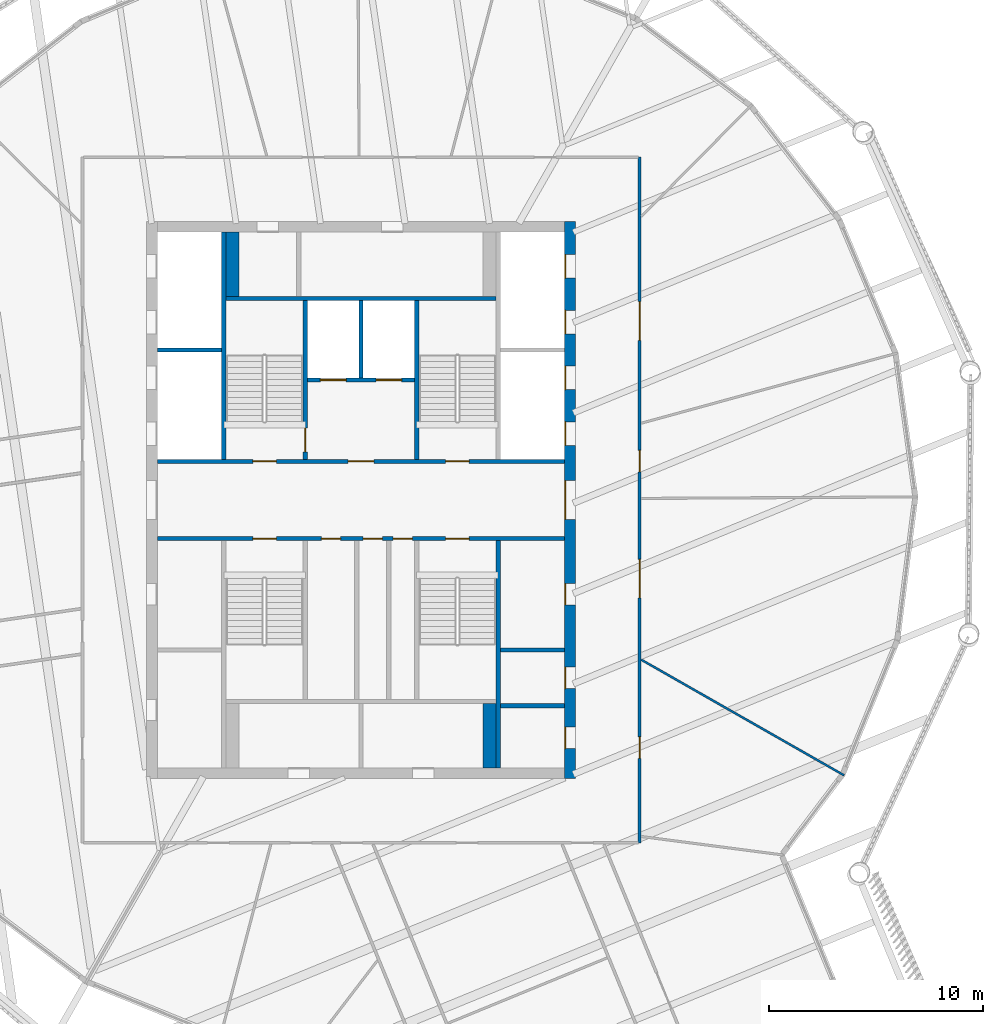
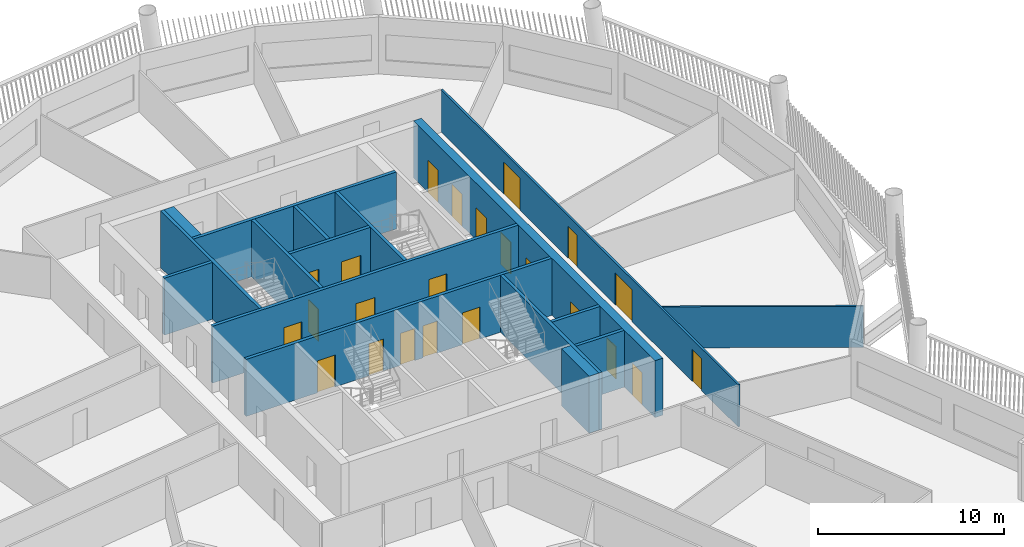
# One storey, part 5 of 15: 23 doors, 17 walls, 23 openings.
"""IFC4 building model written with IfcOpenShell, lengths in metres."""

from ifc_helpers import new_model, si_unit, direction, frame, frame_2d, origin, place, context, subcontext, project, spatial, rectangle, extrude, material, layer, layer_set, type_object, element, fill, save


model = new_model("IFC4")

# Units and contexts
model_context = context("Model", 3, precision=1e-05, world=origin(), true_north=direction((0.0, 1.0)))
body_context = subcontext(model_context, "Body", "Model", "MODEL_VIEW")
ifc_project = project(units=[si_unit("LENGTHUNIT", "METRE"), si_unit("AREAUNIT", "SQUARE_METRE"), si_unit("VOLUMEUNIT", "CUBIC_METRE"), si_unit("PLANEANGLEUNIT", "RADIAN"), si_unit("MASSUNIT", "GRAM", prefix="KILO")], contexts=[model_context])

# Site, building, storey
site_placement = place(None, origin())
site = spatial("IfcSite", under=ifc_project, at=site_placement, CompositionType="ELEMENT")
building_placement = place(site_placement, origin())
building = spatial("IfcBuilding", under=site, at=building_placement, Name="Tarsis Ring Headquarters", CompositionType="ELEMENT")
storey_placement = place(building_placement, frame((0.0, 0.0, 319.699951171875)))
storey = spatial("IfcBuildingStorey", under=building, at=storey_placement, Name="L75", CompositionType="ELEMENT", Elevation=319.699951171875)

# Walls
ifc_material_1 = material(Name="Blockwork", Category="masonry")
ifc_layer_1 = layer(ifc_material_1, 0.199951171875)
ifc_layer_set_1 = layer_set([ifc_layer_1], Name="Core blockwork wall 200")
wall_type_1 = type_object("IfcWallType", Name="Core blockwork wall 200", PredefinedType="PARTITIONING", material=ifc_layer_set_1)
for number, where, z_axis, x_axis, name in (
    (1, (6.5, -9.60009765625, 0.0), (0.0, 0.0, 1.0), (1.0, 0.0, 0.0), "Core partition ED1"),
    (2, (6.5, -7.0, 0.0), (0.0, 0.0, 1.0), (1.0, 0.0, 0.0), "Core partition ED2"),
):
    element("IfcWall", number, at=place(storey_placement, frame(where, z_axis=z_axis, x_axis=x_axis)), inside=storey, type_object=wall_type_1, Name=name, PredefinedType="PARTITIONING", context=body_context, shape_type="SweptSolid", body=[
        extrude(rectangle(XDim=3.0, YDim=0.199951171875, at=frame_2d((1.5, 0.0))), origin(), (0.0, 0.0, 1.0), 3.739990234375),
    ])

# Wall, openings, doors
ifc_material_2 = material(Name="Concrete C50/60", Category="concrete")
ifc_layer_2 = layer(ifc_material_2, 0.5)
ifc_layer_set_2 = layer_set([ifc_layer_2], Name="Core wall 500 C50/60")
wall_type_2 = type_object("IfcWallType", Name="Core wall 500 C50/60", PredefinedType="SHEAR", material=ifc_layer_set_2)
wall_1_placement = place(storey_placement, frame((9.75, -13.0, 0.0), z_axis=(0.0, 0.0, 1.0), x_axis=(0.0, 1.0, 0.0)))
wall_1 = element("IfcWall", 3, at=wall_1_placement, inside=storey, type_object=wall_type_2, Name="Core wall OE", PredefinedType="SHEAR", context=body_context, shape_type="SweptSolid", body=[
    extrude(rectangle(XDim=26.0, YDim=0.5, at=frame_2d((13.0, 0.0))), origin(), (0.0, 0.0, 1.0), 3.739990234375),
])
opening_1_placement = place(wall_1_placement, frame((1.39990234375, 0.0, 0.0)))
opening_1 = element("IfcOpeningElement", 4, at=opening_1_placement, cuts=wall_1, Name="Opening L75-C08", PredefinedType="OPENING", context=body_context, shape_type="SweptSolid", body=[
    extrude(rectangle(XDim=1.0, YDim=2.10009765625, at=frame_2d((0.5, 1.050048828125))), frame((0.0, 0.260009765625, 0.0), z_axis=(0.0, -1.0, 0.0), x_axis=(1.0, 0.0, 0.0)), (0.0, 0.0, 1.0), 0.52001953125),
])
opening_2_placement = place(wall_1_placement, frame((4.199951171875, 0.0, 0.0)))
opening_2 = element("IfcOpeningElement", 5, at=opening_2_placement, cuts=wall_1, Name="Opening L75-C09", PredefinedType="OPENING", context=body_context, shape_type="SweptSolid", body=[
    extrude(rectangle(XDim=1.0, YDim=2.10009765625, at=frame_2d((0.5, 1.050048828125))), frame((0.0, 0.260009765625, 0.0), z_axis=(0.0, -1.0, 0.0), x_axis=(1.0, 0.0, 0.0)), (0.0, 0.0, 1.0), 0.52001953125),
])
opening_3_placement = place(wall_1_placement, frame((8.10009765625, 0.0, 0.0)))
opening_3 = element("IfcOpeningElement", 6, at=opening_3_placement, cuts=wall_1, Name="Opening L75-C10", PredefinedType="OPENING", context=body_context, shape_type="SweptSolid", body=[
    extrude(rectangle(XDim=1.0, YDim=2.10009765625, at=frame_2d((0.5, 1.050048828125))), frame((0.0, 0.260009765625, 0.0), z_axis=(0.0, -1.0, 0.0), x_axis=(1.0, 0.0, 0.0)), (0.0, 0.0, 1.0), 0.52001953125),
])
opening_4_placement = place(wall_1_placement, frame((12.10009765625, 0.0, 0.0)))
opening_4 = element("IfcOpeningElement", 7, at=opening_4_placement, cuts=wall_1, Name="Opening L75-C11", PredefinedType="OPENING", context=body_context, shape_type="SweptSolid", body=[
    extrude(rectangle(XDim=1.800048828125, YDim=2.10009765625, at=frame_2d((0.89990234375, 1.050048828125))), frame((0.0, 0.260009765625, 0.0), z_axis=(0.0, -1.0, 0.0), x_axis=(1.0, 0.0, 0.0)), (0.0, 0.0, 1.0), 0.52001953125),
])
opening_5_placement = place(wall_1_placement, frame((15.550048828125, 0.0, 0.0)))
opening_5 = element("IfcOpeningElement", 8, at=opening_5_placement, cuts=wall_1, Name="Opening LD-HR5", PredefinedType="OPENING", context=body_context, shape_type="SweptSolid", body=[
    extrude(rectangle(XDim=1.10009765625, YDim=2.10009765625, at=frame_2d((0.550048828125, 1.050048828125))), frame((0.0, 0.260009765625, 0.0), z_axis=(0.0, -1.0, 0.0), x_axis=(1.0, 0.0, 0.0)), (0.0, 0.0, 1.0), 0.52001953125),
])
opening_6_placement = place(wall_1_placement, frame((18.14990234375, 0.0, 0.0)))
opening_6 = element("IfcOpeningElement", 9, at=opening_6_placement, cuts=wall_1, Name="Opening LD-HR6", PredefinedType="OPENING", context=body_context, shape_type="SweptSolid", body=[
    extrude(rectangle(XDim=1.10009765625, YDim=2.10009765625, at=frame_2d((0.550048828125, 1.050048828125))), frame((0.0, 0.260009765625, 0.0), z_axis=(0.0, -1.0, 0.0), x_axis=(1.0, 0.0, 0.0)), (0.0, 0.0, 1.0), 0.52001953125),
])
opening_7_placement = place(wall_1_placement, frame((20.75, 0.0, 0.0)))
opening_7 = element("IfcOpeningElement", 10, at=opening_7_placement, cuts=wall_1, Name="Opening LD-HR7", PredefinedType="OPENING", context=body_context, shape_type="SweptSolid", body=[
    extrude(rectangle(XDim=1.10009765625, YDim=2.10009765625, at=frame_2d((0.550048828125, 1.050048828125))), frame((0.0, 0.260009765625, 0.0), z_axis=(0.0, -1.0, 0.0), x_axis=(1.0, 0.0, 0.0)), (0.0, 0.0, 1.0), 0.52001953125),
])
opening_8_placement = place(wall_1_placement, frame((23.35009765625, 0.0, 0.0)))
opening_8 = element("IfcOpeningElement", 11, at=opening_8_placement, cuts=wall_1, Name="Opening LD-HR8", PredefinedType="OPENING", context=body_context, shape_type="SweptSolid", body=[
    extrude(rectangle(XDim=1.10009765625, YDim=2.10009765625, at=frame_2d((0.550048828125, 1.050048828125))), frame((0.0, 0.260009765625, 0.0), z_axis=(0.0, -1.0, 0.0), x_axis=(1.0, 0.0, 0.0)), (0.0, 0.0, 1.0), 0.52001953125),
])
ifc_material_3 = material(Name="Steel S355", Category="steel")
door_type_1 = type_object("IfcDoorType", Name="Core entry door 1800x2100", OperationType="DOUBLE_DOOR_SINGLE_SWING", PredefinedType="DOOR", material=ifc_material_3)
door_1_placement = place(opening_4_placement, origin())
door_1 = element("IfcDoor", 12, at=door_1_placement, inside=storey, type_object=door_type_1, Name="Core entry door L75", OperationType="DOUBLE_DOOR_SINGLE_SWING", OverallHeight=2.10009765625, OverallWidth=1.800048828125, PredefinedType="DOOR", context=body_context, shape_type="SweptSolid", body=[
    extrude(rectangle(XDim=1.800048828125, YDim=2.10009765625, at=frame_2d((0.89990234375, 1.050048828125))), frame((0.0, 0.25, 0.0), z_axis=(0.0, -1.0, 0.0), x_axis=(1.0, 0.0, 0.0)), (0.0, 0.0, 1.0), 0.050048828125),
])
fill(opening_4, door_1)
door_type_2 = type_object("IfcDoorType", Name="Core room door 1000x2100", OperationType="SINGLE_SWING_LEFT", PredefinedType="DOOR", material=ifc_material_3)
door_2_placement = place(opening_1_placement, origin())
door_2 = element("IfcDoor", 13, at=door_2_placement, inside=storey, type_object=door_type_2, Name="Core room door L75", OperationType="SINGLE_SWING_LEFT", OverallHeight=2.10009765625, OverallWidth=1.0, PredefinedType="DOOR", context=body_context, shape_type="SweptSolid", body=[
    extrude(rectangle(XDim=1.0, YDim=2.10009765625, at=frame_2d((0.5, 1.050048828125))), frame((0.0, 0.25, 0.0), z_axis=(0.0, -1.0, 0.0), x_axis=(1.0, 0.0, 0.0)), (0.0, 0.0, 1.0), 0.050048828125),
])
fill(opening_1, door_2)
door_3_placement = place(opening_2_placement, origin())
door_3 = element("IfcDoor", 14, at=door_3_placement, inside=storey, type_object=door_type_2, Name="Core room door L75", OperationType="SINGLE_SWING_LEFT", OverallHeight=2.10009765625, OverallWidth=1.0, PredefinedType="DOOR", context=body_context, shape_type="SweptSolid", body=[
    extrude(rectangle(XDim=1.0, YDim=2.10009765625, at=frame_2d((0.5, 1.050048828125))), frame((0.0, 0.25, 0.0), z_axis=(0.0, -1.0, 0.0), x_axis=(1.0, 0.0, 0.0)), (0.0, 0.0, 1.0), 0.050048828125),
])
fill(opening_2, door_3)
door_4_placement = place(opening_3_placement, origin())
door_4 = element("IfcDoor", 15, at=door_4_placement, inside=storey, type_object=door_type_2, Name="Core room door L75", OperationType="SINGLE_SWING_LEFT", OverallHeight=2.10009765625, OverallWidth=1.0, PredefinedType="DOOR", context=body_context, shape_type="SweptSolid", body=[
    extrude(rectangle(XDim=1.0, YDim=2.10009765625, at=frame_2d((0.5, 1.050048828125))), frame((0.0, 0.25, 0.0), z_axis=(0.0, -1.0, 0.0), x_axis=(1.0, 0.0, 0.0)), (0.0, 0.0, 1.0), 0.050048828125),
])
fill(opening_3, door_4)
door_type_3 = type_object("IfcDoorType", Name="Landing door 1100x2100", OperationType="SLIDING_TO_LEFT", PredefinedType="DOOR", material=ifc_material_3)
door_5_placement = place(opening_5_placement, origin())
door_5 = element("IfcDoor", 16, at=door_5_placement, inside=storey, type_object=door_type_3, Name="Landing door HR5 L75", OperationType="SLIDING_TO_LEFT", OverallHeight=2.10009765625, OverallWidth=1.10009765625, PredefinedType="DOOR", context=body_context, shape_type="SweptSolid", body=[
    extrude(rectangle(XDim=1.10009765625, YDim=2.10009765625, at=frame_2d((0.550048828125, 1.050048828125))), frame((0.0, 0.25, 0.0), z_axis=(0.0, -1.0, 0.0), x_axis=(1.0, 0.0, 0.0)), (0.0, 0.0, 1.0), 0.050048828125),
])
fill(opening_5, door_5)
door_6_placement = place(opening_6_placement, origin())
door_6 = element("IfcDoor", 17, at=door_6_placement, inside=storey, type_object=door_type_3, Name="Landing door HR6 L75", OperationType="SLIDING_TO_LEFT", OverallHeight=2.10009765625, OverallWidth=1.10009765625, PredefinedType="DOOR", context=body_context, shape_type="SweptSolid", body=[
    extrude(rectangle(XDim=1.10009765625, YDim=2.10009765625, at=frame_2d((0.550048828125, 1.050048828125))), frame((0.0, 0.25, 0.0), z_axis=(0.0, -1.0, 0.0), x_axis=(1.0, 0.0, 0.0)), (0.0, 0.0, 1.0), 0.050048828125),
])
fill(opening_6, door_6)
door_7_placement = place(opening_7_placement, origin())
door_7 = element("IfcDoor", 18, at=door_7_placement, inside=storey, type_object=door_type_3, Name="Landing door HR7 L75", OperationType="SLIDING_TO_LEFT", OverallHeight=2.10009765625, OverallWidth=1.10009765625, PredefinedType="DOOR", context=body_context, shape_type="SweptSolid", body=[
    extrude(rectangle(XDim=1.10009765625, YDim=2.10009765625, at=frame_2d((0.550048828125, 1.050048828125))), frame((0.0, 0.25, 0.0), z_axis=(0.0, -1.0, 0.0), x_axis=(1.0, 0.0, 0.0)), (0.0, 0.0, 1.0), 0.050048828125),
])
fill(opening_7, door_7)
door_8_placement = place(opening_8_placement, origin())
door_8 = element("IfcDoor", 19, at=door_8_placement, inside=storey, type_object=door_type_3, Name="Landing door HR8 L75", OperationType="SLIDING_TO_LEFT", OverallHeight=2.10009765625, OverallWidth=1.10009765625, PredefinedType="DOOR", context=body_context, shape_type="SweptSolid", body=[
    extrude(rectangle(XDim=1.10009765625, YDim=2.10009765625, at=frame_2d((0.550048828125, 1.050048828125))), frame((0.0, 0.25, 0.0), z_axis=(0.0, -1.0, 0.0), x_axis=(1.0, 0.0, 0.0)), (0.0, 0.0, 1.0), 0.050048828125),
])
fill(opening_8, door_8)

# Wall
ifc_material_4 = material(Name="Gypsum board on steel studs", Category="steel")
ifc_layer_3 = layer(ifc_material_4, 0.10009765625)
ifc_layer_set_3 = layer_set([ifc_layer_3], Name="FL partition 100 unrated")
wall_type_3 = type_object("IfcWallType", Name="FL partition 100 unrated", PredefinedType="PARTITIONING", material=ifc_layer_set_3)
wall_2_placement = place(storey_placement, frame((13.078125, -7.45361328125, 0.0), z_axis=(0.0, 0.0, 1.0), x_axis=(0.868810721544, -0.495144352821, 0.0)))
element("IfcWall", 20, at=wall_2_placement, inside=storey, type_object=wall_type_3, Name="Partition PW3", PredefinedType="PARTITIONING", context=body_context, shape_type="SweptSolid", body=[
    extrude(rectangle(XDim=10.894775390625, YDim=0.10009765625, at=frame_2d((5.447265625, 0.0))), origin(), (0.0, 0.0, 1.0), 2.699951171875),
])

# Wall, openings, doors
ifc_layer_4 = layer(ifc_material_4, 0.125)
ifc_layer_set_4 = layer_set([ifc_layer_4], Name="FL partition 125 EI 60 H2770")
wall_type_4 = type_object("IfcWallType", Name="FL partition 125 EI 60 H2770", PredefinedType="PARTITIONING", material=ifc_layer_set_4)
wall_3_placement = place(storey_placement, frame((13.0, -16.0, 0.0), z_axis=(0.0, 0.0, 1.0), x_axis=(0.0, 1.0, 0.0)))
wall_3 = element("IfcWall", 21, at=wall_3_placement, inside=storey, type_object=wall_type_4, Name="Partition PW1", PredefinedType="PARTITIONING", context=body_context, shape_type="SweptSolid", body=[
    extrude(rectangle(XDim=32.0, YDim=0.125, at=frame_2d((16.0, 0.0))), origin(), (0.0, 0.0, 1.0), 2.77001953125),
])
opening_9_placement = place(wall_3_placement, frame((23.45361328125, 0.0, 0.0)))
opening_9 = element("IfcOpeningElement", 22, at=opening_9_placement, cuts=wall_3, Name="Opening D75.08", PredefinedType="OPENING", context=body_context, shape_type="SweptSolid", body=[
    extrude(rectangle(XDim=1.800048828125, YDim=2.10009765625, at=frame_2d((0.89990234375, 1.050048828125))), frame((0.0, 0.072509765625, 0.0), z_axis=(0.0, -1.0, 0.0), x_axis=(1.0, 0.0, 0.0)), (0.0, 0.0, 1.0), 0.14501953125),
])
opening_10_placement = place(wall_3_placement, frame((17.31689453125, 0.0, 0.0)))
opening_10 = element("IfcOpeningElement", 23, at=opening_10_placement, cuts=wall_3, Name="Opening D75.09", PredefinedType="OPENING", context=body_context, shape_type="SweptSolid", body=[
    extrude(rectangle(XDim=1.0, YDim=2.10009765625, at=frame_2d((0.5, 1.050048828125))), frame((0.0, 0.072509765625, 0.0), z_axis=(0.0, -1.0, 0.0), x_axis=(1.0, 0.0, 0.0)), (0.0, 0.0, 1.0), 0.14501953125),
])
opening_11_placement = place(wall_3_placement, frame((11.431884765625, 0.0, 0.0)))
opening_11 = element("IfcOpeningElement", 24, at=opening_11_placement, cuts=wall_3, Name="Opening D75.10", PredefinedType="OPENING", context=body_context, shape_type="SweptSolid", body=[
    extrude(rectangle(XDim=1.800048828125, YDim=2.10009765625, at=frame_2d((0.89990234375, 1.050048828125))), frame((0.0, 0.072509765625, 0.0), z_axis=(0.0, -1.0, 0.0), x_axis=(1.0, 0.0, 0.0)), (0.0, 0.0, 1.0), 0.14501953125),
])
opening_12_placement = place(wall_3_placement, frame((3.94775390625, 0.0, 0.0)))
opening_12 = element("IfcOpeningElement", 25, at=opening_12_placement, cuts=wall_3, Name="Opening D75.11", PredefinedType="OPENING", context=body_context, shape_type="SweptSolid", body=[
    extrude(rectangle(XDim=1.0, YDim=2.10009765625, at=frame_2d((0.5, 1.050048828125))), frame((0.0, 0.072509765625, 0.0), z_axis=(0.0, -1.0, 0.0), x_axis=(1.0, 0.0, 0.0)), (0.0, 0.0, 1.0), 0.14501953125),
])
ifc_material_5 = material(Name="Fire-rated timber door leaf in steel frame", Category="steel")
door_type_4 = type_object("IfcDoorType", Name="FL door FD60-1000", OperationType="NOTDEFINED", PredefinedType="DOOR", material=ifc_material_5)
door_9_placement = place(opening_10_placement, origin())
door_9 = element("IfcDoor", 26, at=door_9_placement, inside=storey, type_object=door_type_4, Name="Door D75.09", OperationType="SINGLE_SWING_RIGHT", OverallHeight=2.10009765625, OverallWidth=1.0, PredefinedType="DOOR", context=body_context, shape_type="SweptSolid", body=[
    extrude(rectangle(XDim=1.0, YDim=2.10009765625, at=frame_2d((0.5, 1.050048828125))), frame((0.0, 0.02490234375, 0.0), z_axis=(0.0, -1.0, 0.0), x_axis=(1.0, 0.0, 0.0)), (0.0, 0.0, 1.0), 0.050048828125),
])
fill(opening_10, door_9)
door_10_placement = place(opening_12_placement, origin())
door_10 = element("IfcDoor", 27, at=door_10_placement, inside=storey, type_object=door_type_4, Name="Door D75.11", OperationType="SINGLE_SWING_RIGHT", OverallHeight=2.10009765625, OverallWidth=1.0, PredefinedType="DOOR", context=body_context, shape_type="SweptSolid", body=[
    extrude(rectangle(XDim=1.0, YDim=2.10009765625, at=frame_2d((0.5, 1.050048828125))), frame((0.0, 0.02490234375, 0.0), z_axis=(0.0, -1.0, 0.0), x_axis=(1.0, 0.0, 0.0)), (0.0, 0.0, 1.0), 0.050048828125),
])
fill(opening_12, door_10)
door_type_5 = type_object("IfcDoorType", Name="FL door FD60-1800", OperationType="DOUBLE_DOOR_SINGLE_SWING", PredefinedType="DOOR", material=ifc_material_5)
door_11_placement = place(opening_9_placement, origin())
door_11 = element("IfcDoor", 28, at=door_11_placement, inside=storey, type_object=door_type_5, Name="Door D75.08", OperationType="DOUBLE_DOOR_SINGLE_SWING", OverallHeight=2.10009765625, OverallWidth=1.800048828125, PredefinedType="DOOR", context=body_context, shape_type="SweptSolid", body=[
    extrude(rectangle(XDim=1.800048828125, YDim=2.10009765625, at=frame_2d((0.89990234375, 1.050048828125))), frame((0.0, 0.02490234375, 0.0), z_axis=(0.0, -1.0, 0.0), x_axis=(1.0, 0.0, 0.0)), (0.0, 0.0, 1.0), 0.050048828125),
])
fill(opening_9, door_11)
door_12_placement = place(opening_11_placement, origin())
door_12 = element("IfcDoor", 29, at=door_12_placement, inside=storey, type_object=door_type_5, Name="Door D75.10", OperationType="DOUBLE_DOOR_SINGLE_SWING", OverallHeight=2.10009765625, OverallWidth=1.800048828125, PredefinedType="DOOR", context=body_context, shape_type="SweptSolid", body=[
    extrude(rectangle(XDim=1.800048828125, YDim=2.10009765625, at=frame_2d((0.89990234375, 1.050048828125))), frame((0.0, 0.02490234375, 0.0), z_axis=(0.0, -1.0, 0.0), x_axis=(1.0, 0.0, 0.0)), (0.0, 0.0, 1.0), 0.050048828125),
])
fill(opening_11, door_12)

# Walls
ifc_material_6 = material(Name="Concrete C32/40", Category="concrete")
ifc_layer_5 = layer(ifc_material_6, 0.60009765625)
ifc_layer_set_5 = layer_set([ifc_layer_5], Name="Shaft end wall 600 C32/40")
wall_type_5 = type_object("IfcWallType", Name="Shaft end wall 600 C32/40", PredefinedType="SOLIDWALL", material=ifc_layer_set_5)
for number, where, z_axis, x_axis, name in (
    (30, (-6.0, 9.5, 0.0), (0.0, 0.0, 1.0), (0.0, 1.0, 0.0), "Core shaft wall NNE1"),
    (31, (6.0, -12.5, 0.0), (0.0, 0.0, 1.0), (0.0, 1.0, 0.0), "Core shaft wall SNE2"),
):
    element("IfcWall", number, at=place(storey_placement, frame(where, z_axis=z_axis, x_axis=x_axis)), inside=storey, type_object=wall_type_5, Name=name, PredefinedType="SOLIDWALL", context=body_context, shape_type="SweptSolid", body=[
        extrude(rectangle(XDim=3.0, YDim=0.60009765625, at=frame_2d((1.5, 0.0))), origin(), (0.0, 0.0, 1.0), 3.739990234375),
    ])

# Wall, openings, doors
ifc_layer_6 = layer(ifc_material_6, 0.199951171875)
ifc_layer_set_6 = layer_set([ifc_layer_6], Name="Shaft wall 200 C32/40")
wall_type_6 = type_object("IfcWallType", Name="Shaft wall 200 C32/40", PredefinedType="SOLIDWALL", material=ifc_layer_set_6)
wall_4_placement = place(storey_placement, frame((-9.5, 1.800048828125, 0.0), z_axis=(0.0, 0.0, 1.0), x_axis=(1.0, 0.0, 0.0)))
wall_4 = element("IfcWall", 32, at=wall_4_placement, inside=storey, type_object=wall_type_6, Name="Core shaft wall CN", PredefinedType="SOLIDWALL", context=body_context, shape_type="SweptSolid", body=[
    extrude(rectangle(XDim=19.0, YDim=0.199951171875, at=frame_2d((9.5, 0.0))), origin(), (0.0, 0.0, 1.0), 3.739990234375),
])
opening_13_placement = place(wall_4_placement, frame((4.449951171875, 0.0, 0.0)))
opening_13 = element("IfcOpeningElement", 33, at=opening_13_placement, cuts=wall_4, Name="Opening L75-C20", PredefinedType="OPENING", context=body_context, shape_type="SweptSolid", body=[
    extrude(rectangle(XDim=1.10009765625, YDim=2.10009765625, at=frame_2d((0.550048828125, 1.050048828125))), frame((0.0, 0.10986328125, 0.0), z_axis=(0.0, -1.0, 0.0), x_axis=(1.0, 0.0, 0.0)), (0.0, 0.0, 1.0), 0.219970703125),
])
opening_14_placement = place(wall_4_placement, frame((8.89990234375, 0.0, 0.0)))
opening_14 = element("IfcOpeningElement", 34, at=opening_14_placement, cuts=wall_4, Name="Opening L75-C21", PredefinedType="OPENING", context=body_context, shape_type="SweptSolid", body=[
    extrude(rectangle(XDim=1.199951171875, YDim=2.10009765625, at=frame_2d((0.60009765625, 1.050048828125))), frame((0.0, 0.10986328125, 0.0), z_axis=(0.0, -1.0, 0.0), x_axis=(1.0, 0.0, 0.0)), (0.0, 0.0, 1.0), 0.219970703125),
])
opening_15_placement = place(wall_4_placement, frame((13.449951171875, 0.0, 0.0)))
opening_15 = element("IfcOpeningElement", 35, at=opening_15_placement, cuts=wall_4, Name="Opening L75-C22", PredefinedType="OPENING", context=body_context, shape_type="SweptSolid", body=[
    extrude(rectangle(XDim=1.10009765625, YDim=2.10009765625, at=frame_2d((0.550048828125, 1.050048828125))), frame((0.0, 0.10986328125, 0.0), z_axis=(0.0, -1.0, 0.0), x_axis=(1.0, 0.0, 0.0)), (0.0, 0.0, 1.0), 0.219970703125),
])
door_type_6 = type_object("IfcDoorType", Name="Firefighting lobby door 1200x2100", OperationType="DOUBLE_DOOR_SINGLE_SWING", PredefinedType="DOOR", material=ifc_material_3)
door_13_placement = place(opening_14_placement, origin())
door_13 = element("IfcDoor", 36, at=door_13_placement, inside=storey, type_object=door_type_6, Name="Firefighting lobby door L75", OperationType="DOUBLE_DOOR_SINGLE_SWING", OverallHeight=2.10009765625, OverallWidth=1.199951171875, PredefinedType="DOOR", context=body_context, shape_type="SweptSolid", body=[
    extrude(rectangle(XDim=1.199951171875, YDim=2.10009765625, at=frame_2d((0.60009765625, 1.050048828125))), frame((0.0, 0.02490234375, 0.0), z_axis=(0.0, -1.0, 0.0), x_axis=(1.0, 0.0, 0.0)), (0.0, 0.0, 1.0), 0.050048828125),
])
fill(opening_14, door_13)
door_type_7 = type_object("IfcDoorType", Name="Stair door 1100x2100", OperationType="SINGLE_SWING_LEFT", PredefinedType="DOOR", material=ifc_material_3)
door_14_placement = place(opening_13_placement, origin())
door_14 = element("IfcDoor", 37, at=door_14_placement, inside=storey, type_object=door_type_7, Name="Stair door L75", OperationType="SINGLE_SWING_LEFT", OverallHeight=2.10009765625, OverallWidth=1.10009765625, PredefinedType="DOOR", context=body_context, shape_type="SweptSolid", body=[
    extrude(rectangle(XDim=1.10009765625, YDim=2.10009765625, at=frame_2d((0.550048828125, 1.050048828125))), frame((0.0, 0.02490234375, 0.0), z_axis=(0.0, -1.0, 0.0), x_axis=(1.0, 0.0, 0.0)), (0.0, 0.0, 1.0), 0.050048828125),
])
fill(opening_13, door_14)
door_15_placement = place(opening_15_placement, origin())
door_15 = element("IfcDoor", 38, at=door_15_placement, inside=storey, type_object=door_type_7, Name="Stair door L75", OperationType="SINGLE_SWING_LEFT", OverallHeight=2.10009765625, OverallWidth=1.10009765625, PredefinedType="DOOR", context=body_context, shape_type="SweptSolid", body=[
    extrude(rectangle(XDim=1.10009765625, YDim=2.10009765625, at=frame_2d((0.550048828125, 1.050048828125))), frame((0.0, 0.02490234375, 0.0), z_axis=(0.0, -1.0, 0.0), x_axis=(1.0, 0.0, 0.0)), (0.0, 0.0, 1.0), 0.050048828125),
])
fill(opening_15, door_15)

wall_5_placement = place(storey_placement, frame((-9.5, -1.800048828125, 0.0), z_axis=(0.0, 0.0, 1.0), x_axis=(1.0, 0.0, 0.0)))
wall_5 = element("IfcWall", 39, at=wall_5_placement, inside=storey, type_object=wall_type_6, Name="Core shaft wall CS", PredefinedType="SOLIDWALL", context=body_context, shape_type="SweptSolid", body=[
    extrude(rectangle(XDim=19.0, YDim=0.199951171875, at=frame_2d((9.5, 0.0))), origin(), (0.0, 0.0, 1.0), 3.739990234375),
])
opening_16_placement = place(wall_5_placement, frame((4.449951171875, 0.0, 0.0)))
opening_16 = element("IfcOpeningElement", 40, at=opening_16_placement, cuts=wall_5, Name="Opening L75-C23", PredefinedType="OPENING", context=body_context, shape_type="SweptSolid", body=[
    extrude(rectangle(XDim=1.10009765625, YDim=2.10009765625, at=frame_2d((0.550048828125, 1.050048828125))), frame((0.0, 0.10986328125, 0.0), z_axis=(0.0, -1.0, 0.0), x_axis=(1.0, 0.0, 0.0)), (0.0, 0.0, 1.0), 0.219970703125),
])
opening_17_placement = place(wall_5_placement, frame((7.64990234375, 0.0, 0.0)))
opening_17 = element("IfcOpeningElement", 41, at=opening_17_placement, cuts=wall_5, Name="Opening L75-C24", PredefinedType="OPENING", context=body_context, shape_type="SweptSolid", body=[
    extrude(rectangle(XDim=0.89990234375, YDim=2.10009765625, at=frame_2d((0.449951171875, 1.050048828125))), frame((0.0, 0.10986328125, 0.0), z_axis=(0.0, -1.0, 0.0), x_axis=(1.0, 0.0, 0.0)), (0.0, 0.0, 1.0), 0.219970703125),
])
opening_18_placement = place(wall_5_placement, frame((9.60009765625, 0.0, 0.0)))
opening_18 = element("IfcOpeningElement", 42, at=opening_18_placement, cuts=wall_5, Name="Opening L75-C25", PredefinedType="OPENING", context=body_context, shape_type="SweptSolid", body=[
    extrude(rectangle(XDim=0.89990234375, YDim=2.10009765625, at=frame_2d((0.449951171875, 1.050048828125))), frame((0.0, 0.10986328125, 0.0), z_axis=(0.0, -1.0, 0.0), x_axis=(1.0, 0.0, 0.0)), (0.0, 0.0, 1.0), 0.219970703125),
])
opening_19_placement = place(wall_5_placement, frame((11.0, 0.0, 0.0)))
opening_19 = element("IfcOpeningElement", 43, at=opening_19_placement, cuts=wall_5, Name="Opening L75-C26", PredefinedType="OPENING", context=body_context, shape_type="SweptSolid", body=[
    extrude(rectangle(XDim=0.89990234375, YDim=2.10009765625, at=frame_2d((0.449951171875, 1.050048828125))), frame((0.0, 0.10986328125, 0.0), z_axis=(0.0, -1.0, 0.0), x_axis=(1.0, 0.0, 0.0)), (0.0, 0.0, 1.0), 0.219970703125),
])
opening_20_placement = place(wall_5_placement, frame((13.449951171875, 0.0, 0.0)))
opening_20 = element("IfcOpeningElement", 44, at=opening_20_placement, cuts=wall_5, Name="Opening L75-C27", PredefinedType="OPENING", context=body_context, shape_type="SweptSolid", body=[
    extrude(rectangle(XDim=1.10009765625, YDim=2.10009765625, at=frame_2d((0.550048828125, 1.050048828125))), frame((0.0, 0.10986328125, 0.0), z_axis=(0.0, -1.0, 0.0), x_axis=(1.0, 0.0, 0.0)), (0.0, 0.0, 1.0), 0.219970703125),
])
door_16_placement = place(opening_16_placement, origin())
door_16 = element("IfcDoor", 45, at=door_16_placement, inside=storey, type_object=door_type_7, Name="Stair door L75", OperationType="SINGLE_SWING_LEFT", OverallHeight=2.10009765625, OverallWidth=1.10009765625, PredefinedType="DOOR", context=body_context, shape_type="SweptSolid", body=[
    extrude(rectangle(XDim=1.10009765625, YDim=2.10009765625, at=frame_2d((0.550048828125, 1.050048828125))), frame((0.0, 0.02490234375, 0.0), z_axis=(0.0, -1.0, 0.0), x_axis=(1.0, 0.0, 0.0)), (0.0, 0.0, 1.0), 0.050048828125),
])
fill(opening_16, door_16)
door_17_placement = place(opening_20_placement, origin())
door_17 = element("IfcDoor", 46, at=door_17_placement, inside=storey, type_object=door_type_7, Name="Stair door L75", OperationType="SINGLE_SWING_LEFT", OverallHeight=2.10009765625, OverallWidth=1.10009765625, PredefinedType="DOOR", context=body_context, shape_type="SweptSolid", body=[
    extrude(rectangle(XDim=1.10009765625, YDim=2.10009765625, at=frame_2d((0.550048828125, 1.050048828125))), frame((0.0, 0.02490234375, 0.0), z_axis=(0.0, -1.0, 0.0), x_axis=(1.0, 0.0, 0.0)), (0.0, 0.0, 1.0), 0.050048828125),
])
fill(opening_20, door_17)
door_type_8 = type_object("IfcDoorType", Name="WC door 900x2100", OperationType="SINGLE_SWING_LEFT", PredefinedType="DOOR", material=ifc_material_3)
door_18_placement = place(opening_17_placement, origin())
door_18 = element("IfcDoor", 47, at=door_18_placement, inside=storey, type_object=door_type_8, Name="WC door L75", OperationType="SINGLE_SWING_LEFT", OverallHeight=2.10009765625, OverallWidth=0.89990234375, PredefinedType="DOOR", context=body_context, shape_type="SweptSolid", body=[
    extrude(rectangle(XDim=0.89990234375, YDim=2.10009765625, at=frame_2d((0.449951171875, 1.050048828125))), frame((0.0, 0.02490234375, 0.0), z_axis=(0.0, -1.0, 0.0), x_axis=(1.0, 0.0, 0.0)), (0.0, 0.0, 1.0), 0.050048828125),
])
fill(opening_17, door_18)
door_19_placement = place(opening_18_placement, origin())
door_19 = element("IfcDoor", 48, at=door_19_placement, inside=storey, type_object=door_type_8, Name="WC door L75", OperationType="SINGLE_SWING_LEFT", OverallHeight=2.10009765625, OverallWidth=0.89990234375, PredefinedType="DOOR", context=body_context, shape_type="SweptSolid", body=[
    extrude(rectangle(XDim=0.89990234375, YDim=2.10009765625, at=frame_2d((0.449951171875, 1.050048828125))), frame((0.0, 0.02490234375, 0.0), z_axis=(0.0, -1.0, 0.0), x_axis=(1.0, 0.0, 0.0)), (0.0, 0.0, 1.0), 0.050048828125),
])
fill(opening_18, door_19)
door_20_placement = place(opening_19_placement, origin())
door_20 = element("IfcDoor", 49, at=door_20_placement, inside=storey, type_object=door_type_8, Name="WC door L75", OperationType="SINGLE_SWING_LEFT", OverallHeight=2.10009765625, OverallWidth=0.89990234375, PredefinedType="DOOR", context=body_context, shape_type="SweptSolid", body=[
    extrude(rectangle(XDim=0.89990234375, YDim=2.10009765625, at=frame_2d((0.449951171875, 1.050048828125))), frame((0.0, 0.02490234375, 0.0), z_axis=(0.0, -1.0, 0.0), x_axis=(1.0, 0.0, 0.0)), (0.0, 0.0, 1.0), 0.050048828125),
])
fill(opening_19, door_20)

# Walls
for number, where, z_axis, x_axis, name in (
    (50, (-6.39990234375, 1.89990234375, 0.0), (0.0, 0.0, 1.0), (0.0, 1.0, 0.0), "Core shaft wall WB2"),
    (51, (6.39990234375, -12.5, 0.0), (0.0, 0.0, 1.0), (0.0, 1.0, 0.0), "Core shaft wall EB1"),
):
    element("IfcWall", number, at=place(storey_placement, frame(where, z_axis=z_axis, x_axis=x_axis)), inside=storey, type_object=wall_type_6, Name=name, PredefinedType="SOLIDWALL", context=body_context, shape_type="SweptSolid", body=[
        extrude(rectangle(XDim=10.60009765625, YDim=0.199951171875, at=frame_2d((5.300048828125, 0.0))), origin(), (0.0, 0.0, 1.0), 3.739990234375),
    ])
wall_6_placement = place(storey_placement, frame((-6.300048828125, 9.39990234375, 0.0), z_axis=(0.0, 0.0, 1.0), x_axis=(1.0, 0.0, 0.0)))
element("IfcWall", 52, at=wall_6_placement, inside=storey, type_object=wall_type_6, Name="Core shaft wall NB", PredefinedType="SOLIDWALL", context=body_context, shape_type="SweptSolid", body=[
    extrude(rectangle(XDim=12.60009765625, YDim=0.199951171875, at=frame_2d((6.300048828125, 0.0))), origin(), (0.0, 0.0, 1.0), 3.739990234375),
])

# Wall, opening, door
wall_7_placement = place(storey_placement, frame((-2.60009765625, 1.89990234375, 0.0), z_axis=(0.0, 0.0, 1.0), x_axis=(0.0, 1.0, 0.0)))
wall_7 = element("IfcWall", 53, at=wall_7_placement, inside=storey, type_object=wall_type_6, Name="Core shaft wall SW1", PredefinedType="SOLIDWALL", context=body_context, shape_type="SweptSolid", body=[
    extrude(rectangle(XDim=7.400146484375, YDim=0.199951171875, at=frame_2d((3.7001953125, 0.0))), origin(), (0.0, 0.0, 1.0), 3.739990234375),
])
opening_21_placement = place(wall_7_placement, frame((0.35009765625, 0.0, 0.0)))
opening_21 = element("IfcOpeningElement", 54, at=opening_21_placement, cuts=wall_7, Name="Opening L75-C28", PredefinedType="OPENING", context=body_context, shape_type="SweptSolid", body=[
    extrude(rectangle(XDim=1.10009765625, YDim=2.10009765625, at=frame_2d((0.550048828125, 1.050048828125))), frame((0.0, 0.10986328125, 0.0), z_axis=(0.0, -1.0, 0.0), x_axis=(1.0, 0.0, 0.0)), (0.0, 0.0, 1.0), 0.219970703125),
])
door_21_placement = place(opening_21_placement, origin())
door_21 = element("IfcDoor", 55, at=door_21_placement, inside=storey, type_object=door_type_7, Name="Stair door L75", OperationType="SINGLE_SWING_LEFT", OverallHeight=2.10009765625, OverallWidth=1.10009765625, PredefinedType="DOOR", context=body_context, shape_type="SweptSolid", body=[
    extrude(rectangle(XDim=1.10009765625, YDim=2.10009765625, at=frame_2d((0.550048828125, 1.050048828125))), frame((0.0, 0.02490234375, 0.0), z_axis=(0.0, -1.0, 0.0), x_axis=(1.0, 0.0, 0.0)), (0.0, 0.0, 1.0), 0.050048828125),
])
fill(opening_21, door_21)

# Wall
wall_8_placement = place(storey_placement, frame((2.60009765625, 1.89990234375, 0.0), z_axis=(0.0, 0.0, 1.0), x_axis=(0.0, 1.0, 0.0)))
element("IfcWall", 56, at=wall_8_placement, inside=storey, type_object=wall_type_6, Name="Core shaft wall SW2", PredefinedType="SOLIDWALL", context=body_context, shape_type="SweptSolid", body=[
    extrude(rectangle(XDim=7.400146484375, YDim=0.199951171875, at=frame_2d((3.7001953125, 0.0))), origin(), (0.0, 0.0, 1.0), 3.739990234375),
])

# Wall, openings, doors
wall_9_placement = place(storey_placement, frame((-2.5, 5.60009765625, 0.0), z_axis=(0.0, 0.0, 1.0), x_axis=(1.0, 0.0, 0.0)))
wall_9 = element("IfcWall", 57, at=wall_9_placement, inside=storey, type_object=wall_type_6, Name="Core shaft wall FFN", PredefinedType="SOLIDWALL", context=body_context, shape_type="SweptSolid", body=[
    extrude(rectangle(XDim=5.0, YDim=0.199951171875, at=frame_2d((2.5, 0.0))), origin(), (0.0, 0.0, 1.0), 3.739990234375),
])
opening_22_placement = place(wall_9_placement, frame((0.60009765625, 0.0, 0.0)))
opening_22 = element("IfcOpeningElement", 58, at=opening_22_placement, cuts=wall_9, Name="Opening LDF-1", PredefinedType="OPENING", context=body_context, shape_type="SweptSolid", body=[
    extrude(rectangle(XDim=1.199951171875, YDim=2.10009765625, at=frame_2d((0.60009765625, 1.050048828125))), frame((0.0, 0.10986328125, 0.0), z_axis=(0.0, -1.0, 0.0), x_axis=(1.0, 0.0, 0.0)), (0.0, 0.0, 1.0), 0.219970703125),
])
opening_23_placement = place(wall_9_placement, frame((3.199951171875, 0.0, 0.0)))
opening_23 = element("IfcOpeningElement", 59, at=opening_23_placement, cuts=wall_9, Name="Opening LDF-2", PredefinedType="OPENING", context=body_context, shape_type="SweptSolid", body=[
    extrude(rectangle(XDim=1.199951171875, YDim=2.10009765625, at=frame_2d((0.60009765625, 1.050048828125))), frame((0.0, 0.10986328125, 0.0), z_axis=(0.0, -1.0, 0.0), x_axis=(1.0, 0.0, 0.0)), (0.0, 0.0, 1.0), 0.219970703125),
])
door_type_9 = type_object("IfcDoorType", Name="Firefighting landing door 1200x2100", OperationType="SLIDING_TO_LEFT", PredefinedType="DOOR", material=ifc_material_3)
door_22_placement = place(opening_22_placement, origin())
door_22 = element("IfcDoor", 60, at=door_22_placement, inside=storey, type_object=door_type_9, Name="Landing door FF1 L75", OperationType="SLIDING_TO_LEFT", OverallHeight=2.10009765625, OverallWidth=1.199951171875, PredefinedType="DOOR", context=body_context, shape_type="SweptSolid", body=[
    extrude(rectangle(XDim=1.199951171875, YDim=2.10009765625, at=frame_2d((0.60009765625, 1.050048828125))), frame((0.0, 0.02490234375, 0.0), z_axis=(0.0, -1.0, 0.0), x_axis=(1.0, 0.0, 0.0)), (0.0, 0.0, 1.0), 0.050048828125),
])
fill(opening_22, door_22)
door_23_placement = place(opening_23_placement, origin())
door_23 = element("IfcDoor", 61, at=door_23_placement, inside=storey, type_object=door_type_9, Name="Landing door FF2 L75", OperationType="SLIDING_TO_LEFT", OverallHeight=2.10009765625, OverallWidth=1.199951171875, PredefinedType="DOOR", context=body_context, shape_type="SweptSolid", body=[
    extrude(rectangle(XDim=1.199951171875, YDim=2.10009765625, at=frame_2d((0.60009765625, 1.050048828125))), frame((0.0, 0.02490234375, 0.0), z_axis=(0.0, -1.0, 0.0), x_axis=(1.0, 0.0, 0.0)), (0.0, 0.0, 1.0), 0.050048828125),
])
fill(opening_23, door_23)

# Walls
wall_10_placement = place(storey_placement, frame((0.0, 5.699951171875, 0.0), z_axis=(0.0, 0.0, 1.0), x_axis=(0.0, 1.0, 0.0)))
element("IfcWall", 62, at=wall_10_placement, inside=storey, type_object=wall_type_6, Name="Core shaft wall FFD", PredefinedType="SOLIDWALL", context=body_context, shape_type="SweptSolid", body=[
    extrude(rectangle(XDim=3.60009765625, YDim=0.199951171875, at=frame_2d((1.800048828125, 0.0))), origin(), (0.0, 0.0, 1.0), 3.739990234375),
])
wall_11_placement = place(storey_placement, frame((-9.5, 7.0, 0.0), z_axis=(0.0, 0.0, 1.0), x_axis=(1.0, 0.0, 0.0)))
element("IfcWall", 63, at=wall_11_placement, inside=storey, type_object=wall_type_6, Name="Core shaft wall WD6", PredefinedType="SOLIDWALL", context=body_context, shape_type="SweptSolid", body=[
    extrude(rectangle(XDim=3.0, YDim=0.199951171875, at=frame_2d((1.5, 0.0))), origin(), (0.0, 0.0, 1.0), 3.739990234375),
])

save(model, "model.ifc")
